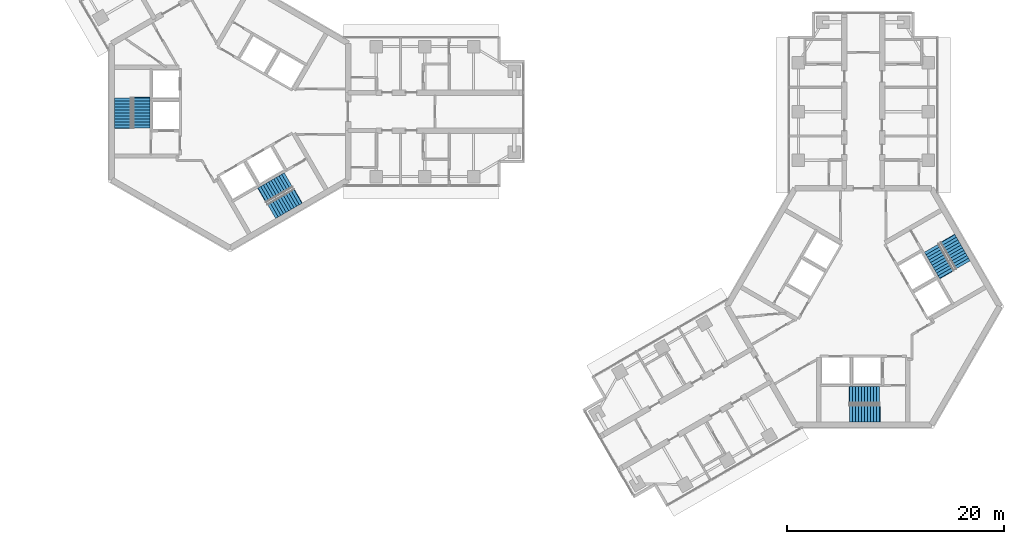
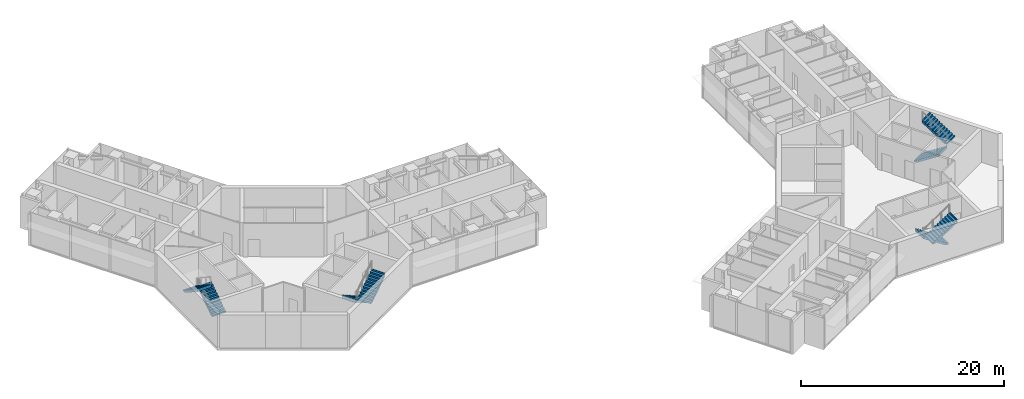
# One storey, part 16 of 17: 8 stair flights, 4 elements without a shape of their own.
"""IFC4 building model written with IfcOpenShell, lengths in metres."""

from ifc_helpers import new_model, si_unit, direction, frame, origin, place, context, subcontext, project, spatial, polyline, outline, extrude, material, type_object, element, aggregate, save


model = new_model("IFC4")

# Units and contexts
model_context = context("Model", 3, precision=1e-05, world=origin(), true_north=direction((0.0, 1.0)))
body_context = subcontext(model_context, "Body", "Model", "MODEL_VIEW")
ifc_project = project(units=[si_unit("LENGTHUNIT", "METRE"), si_unit("AREAUNIT", "SQUARE_METRE"), si_unit("VOLUMEUNIT", "CUBIC_METRE"), si_unit("PLANEANGLEUNIT", "RADIAN"), si_unit("MASSUNIT", "GRAM", prefix="KILO")], contexts=[model_context])

# Site, building, storey
site_placement = place(None, origin())
site = spatial("IfcSite", under=ifc_project, at=site_placement, CompositionType="ELEMENT")
building_placement = place(site_placement, origin())
building = spatial("IfcBuilding", under=site, at=building_placement, Name="Upepo Twin Towers", CompositionType="ELEMENT")
storey_placement = place(building_placement, frame((0.0, 0.0, 214.5)))
storey = spatial("IfcBuildingStorey", under=building, at=storey_placement, Name="L52", CompositionType="ELEMENT", Elevation=214.5)

# Stair, stair flights
ifc_material_1 = material(Name="Concrete C40/50", Category="concrete")
stair_type = type_object("IfcStairType", Name="Core stair, two flights", PredefinedType="HALF_TURN_STAIR", material=ifc_material_1)
stair_1_placement = place(storey_placement, origin())
stair_1 = element("IfcStair", 1, at=stair_1_placement, inside=storey, type_object=stair_type, Name="T1 stair S1 L52", PredefinedType="HALF_TURN_STAIR")
ifc_material_2 = material(Name="Concrete C40/50", Category="concrete")
stair_flight_type = type_object("IfcStairFlightType", Name="Stair flight 1550 RC", PredefinedType="STRAIGHT", material=ifc_material_2)
stair_flight_1_placement = place(storey_placement, frame((-8.175048828125, -1.52001953125, 0.0), z_axis=(0.0, 0.0, 1.0), x_axis=(0.0, 1.0, 0.0)))
stair_flight_1 = element("IfcStairFlight", 2, at=stair_flight_1_placement, type_object=stair_flight_type, Name="Stair S1 flight 1", NumberOfRisers=11, NumberOfTreads=10, PredefinedType="STRAIGHT", RiserHeight=0.181818182, TreadLength=0.28, context=body_context, shape_type="SweptSolid", body=[
    extrude(outline(polyline([(0.0, 0.0), (0.0, 0.181884765625), (0.280029296875, 0.181884765625), (0.280029296875, 0.363525390625), (0.56005859375, 0.363525390625), (0.56005859375, 0.54541015625), (0.840087890625, 0.54541015625), (0.840087890625, 0.727294921875), (1.1201171875, 0.727294921875), (1.1201171875, 0.9091796875), (1.39990234375, 0.9091796875), (1.39990234375, 1.0908203125), (1.679931640625, 1.0908203125), (1.679931640625, 1.272705078125), (1.9599609375, 1.272705078125), (1.9599609375, 1.45458984375), (2.239990234375, 1.45458984375), (2.239990234375, 1.636474609375), (2.52001953125, 1.636474609375), (2.52001953125, 1.818115234375), (2.800048828125, 1.818115234375), (2.800048828125, 2.0), (2.85009765625, 2.0), (2.85009765625, 1.639404296875), (0.3251953125, 0.0), (0.0, 0.0)])), frame((0.0, 0.77490234375, 0.0), z_axis=(0.0, -1.0, 0.0), x_axis=(1.0, 0.0, 0.0)), (0.0, 0.0, 1.0), 1.550048828125),
])
stair_flight_2_placement = place(storey_placement, frame((-9.88330078125, 1.280029296875, 2.0), z_axis=(0.0, 0.0, 1.0), x_axis=(0.0, -1.0, 0.0)))
stair_flight_2 = element("IfcStairFlight", 3, at=stair_flight_2_placement, type_object=stair_flight_type, Name="Stair S1 flight 2", NumberOfRisers=11, NumberOfTreads=10, PredefinedType="STRAIGHT", RiserHeight=0.181818182, TreadLength=0.28, context=body_context, shape_type="SweptSolid", body=[
    extrude(outline(polyline([(0.0, 0.0), (0.0, 0.181884765625), (0.280029296875, 0.181884765625), (0.280029296875, 0.363525390625), (0.56005859375, 0.363525390625), (0.56005859375, 0.54541015625), (0.840087890625, 0.54541015625), (0.840087890625, 0.727294921875), (1.1201171875, 0.727294921875), (1.1201171875, 0.9091796875), (1.39990234375, 0.9091796875), (1.39990234375, 1.0908203125), (1.679931640625, 1.0908203125), (1.679931640625, 1.272705078125), (1.9599609375, 1.272705078125), (1.9599609375, 1.45458984375), (2.239990234375, 1.45458984375), (2.239990234375, 1.636474609375), (2.52001953125, 1.636474609375), (2.52001953125, 1.818115234375), (2.800048828125, 1.818115234375), (2.800048828125, 2.0), (2.85009765625, 2.0), (2.85009765625, 1.639404296875), (0.3251953125, 0.0), (0.0, 0.0)])), frame((0.0, 0.77490234375, 0.0), z_axis=(0.0, -1.0, 0.0), x_axis=(1.0, 0.0, 0.0)), (0.0, 0.0, 1.0), 1.550048828125),
])
aggregate(stair_1, [stair_flight_1, stair_flight_2])

stair_2_placement = place(storey_placement, origin())
stair_2 = element("IfcStair", 4, at=stair_2_placement, inside=storey, type_object=stair_type, Name="T1 stair S2 L52", PredefinedType="HALF_TURN_STAIR")
stair_flight_3_placement = place(storey_placement, frame((5.40380859375, -6.31982421875, 0.0), z_axis=(0.0, 0.0, 1.0), x_axis=(-0.866025403784, -0.5, 0.0)))
stair_flight_3 = element("IfcStairFlight", 5, at=stair_flight_3_placement, type_object=stair_flight_type, Name="Stair S2 flight 1", NumberOfRisers=11, NumberOfTreads=10, PredefinedType="STRAIGHT", RiserHeight=0.181818182, TreadLength=0.28, context=body_context, shape_type="SweptSolid", body=[
    extrude(outline(polyline([(0.0, 0.0), (0.0, 0.181884765625), (0.280029296875, 0.181884765625), (0.280029296875, 0.363525390625), (0.56005859375, 0.363525390625), (0.56005859375, 0.54541015625), (0.840087890625, 0.54541015625), (0.840087890625, 0.727294921875), (1.1201171875, 0.727294921875), (1.1201171875, 0.9091796875), (1.39990234375, 0.9091796875), (1.39990234375, 1.0908203125), (1.679931640625, 1.0908203125), (1.679931640625, 1.272705078125), (1.9599609375, 1.272705078125), (1.9599609375, 1.45458984375), (2.239990234375, 1.45458984375), (2.239990234375, 1.636474609375), (2.52001953125, 1.636474609375), (2.52001953125, 1.818115234375), (2.800048828125, 1.818115234375), (2.800048828125, 2.0), (2.85009765625, 2.0), (2.85009765625, 1.639404296875), (0.3251953125, 0.0), (0.0, 0.0)])), frame((0.0, 0.77490234375, 0.0), z_axis=(0.0, -1.0, 0.0), x_axis=(1.0, 0.0, 0.0)), (0.0, 0.0, 1.0), 1.550048828125),
])
stair_flight_4_placement = place(storey_placement, frame((3.833251953125, -9.19921875, 2.0), z_axis=(0.0, 0.0, 1.0), x_axis=(0.866025403784, 0.5, 0.0)))
stair_flight_4 = element("IfcStairFlight", 6, at=stair_flight_4_placement, type_object=stair_flight_type, Name="Stair S2 flight 2", NumberOfRisers=11, NumberOfTreads=10, PredefinedType="STRAIGHT", RiserHeight=0.181818182, TreadLength=0.28, context=body_context, shape_type="SweptSolid", body=[
    extrude(outline(polyline([(0.0, 0.0), (0.0, 0.181884765625), (0.280029296875, 0.181884765625), (0.280029296875, 0.363525390625), (0.56005859375, 0.363525390625), (0.56005859375, 0.54541015625), (0.840087890625, 0.54541015625), (0.840087890625, 0.727294921875), (1.1201171875, 0.727294921875), (1.1201171875, 0.9091796875), (1.39990234375, 0.9091796875), (1.39990234375, 1.0908203125), (1.679931640625, 1.0908203125), (1.679931640625, 1.272705078125), (1.9599609375, 1.272705078125), (1.9599609375, 1.45458984375), (2.239990234375, 1.45458984375), (2.239990234375, 1.636474609375), (2.52001953125, 1.636474609375), (2.52001953125, 1.818115234375), (2.800048828125, 1.818115234375), (2.800048828125, 2.0), (2.85009765625, 2.0), (2.85009765625, 1.639404296875), (0.3251953125, 0.0), (0.0, 0.0)])), frame((0.0, 0.77490234375, 0.0), z_axis=(0.0, -1.0, 0.0), x_axis=(1.0, 0.0, 0.0)), (0.0, 0.0, 1.0), 1.550048828125),
])
aggregate(stair_2, [stair_flight_3, stair_flight_4])

stair_3_placement = place(storey_placement, origin())
stair_3 = element("IfcStair", 7, at=stair_3_placement, inside=storey, type_object=stair_type, Name="T2 stair S1 L52", PredefinedType="HALF_TURN_STAIR")
stair_flight_5_placement = place(storey_placement, frame((60.02001953125, -26.175048828125, 0.0), z_axis=(0.0, 0.0, 1.0), x_axis=(-1.0, 0.0, 0.0)))
stair_flight_5 = element("IfcStairFlight", 8, at=stair_flight_5_placement, type_object=stair_flight_type, Name="Stair S1 flight 1", NumberOfRisers=11, NumberOfTreads=10, PredefinedType="STRAIGHT", RiserHeight=0.181818182, TreadLength=0.28, context=body_context, shape_type="SweptSolid", body=[
    extrude(outline(polyline([(0.0, 0.0), (0.0, 0.181884765625), (0.280029296875, 0.181884765625), (0.280029296875, 0.363525390625), (0.56005859375, 0.363525390625), (0.56005859375, 0.54541015625), (0.840087890625, 0.54541015625), (0.840087890625, 0.727294921875), (1.1201171875, 0.727294921875), (1.1201171875, 0.9091796875), (1.39990234375, 0.9091796875), (1.39990234375, 1.0908203125), (1.679931640625, 1.0908203125), (1.679931640625, 1.272705078125), (1.9599609375, 1.272705078125), (1.9599609375, 1.45458984375), (2.239990234375, 1.45458984375), (2.239990234375, 1.636474609375), (2.52001953125, 1.636474609375), (2.52001953125, 1.818115234375), (2.800048828125, 1.818115234375), (2.800048828125, 2.0), (2.85009765625, 2.0), (2.85009765625, 1.639404296875), (0.3251953125, 0.0), (0.0, 0.0)])), frame((0.0, 0.77490234375, 0.0), z_axis=(0.0, -1.0, 0.0), x_axis=(1.0, 0.0, 0.0)), (0.0, 0.0, 1.0), 1.550048828125),
])
stair_flight_6_placement = place(storey_placement, frame((57.219970703125, -27.88330078125, 2.0), z_axis=(0.0, 0.0, 1.0), x_axis=(1.0, 0.0, 0.0)))
stair_flight_6 = element("IfcStairFlight", 9, at=stair_flight_6_placement, type_object=stair_flight_type, Name="Stair S1 flight 2", NumberOfRisers=11, NumberOfTreads=10, PredefinedType="STRAIGHT", RiserHeight=0.181818182, TreadLength=0.28, context=body_context, shape_type="SweptSolid", body=[
    extrude(outline(polyline([(0.0, 0.0), (0.0, 0.181884765625), (0.280029296875, 0.181884765625), (0.280029296875, 0.363525390625), (0.56005859375, 0.363525390625), (0.56005859375, 0.54541015625), (0.840087890625, 0.54541015625), (0.840087890625, 0.727294921875), (1.1201171875, 0.727294921875), (1.1201171875, 0.9091796875), (1.39990234375, 0.9091796875), (1.39990234375, 1.0908203125), (1.679931640625, 1.0908203125), (1.679931640625, 1.272705078125), (1.9599609375, 1.272705078125), (1.9599609375, 1.45458984375), (2.239990234375, 1.45458984375), (2.239990234375, 1.636474609375), (2.52001953125, 1.636474609375), (2.52001953125, 1.818115234375), (2.800048828125, 1.818115234375), (2.800048828125, 2.0), (2.85009765625, 2.0), (2.85009765625, 1.639404296875), (0.3251953125, 0.0), (0.0, 0.0)])), frame((0.0, 0.77490234375, 0.0), z_axis=(0.0, -1.0, 0.0), x_axis=(1.0, 0.0, 0.0)), (0.0, 0.0, 1.0), 1.550048828125),
])
aggregate(stair_3, [stair_flight_5, stair_flight_6])

stair_4_placement = place(storey_placement, origin())
stair_4 = element("IfcStair", 10, at=stair_4_placement, inside=storey, type_object=stair_type, Name="T2 stair S2 L52", PredefinedType="HALF_TURN_STAIR")
stair_flight_7_placement = place(storey_placement, frame((64.81982421875, -12.59619140625, 0.0), z_axis=(0.0, 0.0, 1.0), x_axis=(0.5, -0.866025403784, 0.0)))
stair_flight_7 = element("IfcStairFlight", 11, at=stair_flight_7_placement, type_object=stair_flight_type, Name="Stair S2 flight 1", NumberOfRisers=11, NumberOfTreads=10, PredefinedType="STRAIGHT", RiserHeight=0.181818182, TreadLength=0.28, context=body_context, shape_type="SweptSolid", body=[
    extrude(outline(polyline([(0.0, 0.0), (0.0, 0.181884765625), (0.280029296875, 0.181884765625), (0.280029296875, 0.363525390625), (0.56005859375, 0.363525390625), (0.56005859375, 0.54541015625), (0.840087890625, 0.54541015625), (0.840087890625, 0.727294921875), (1.1201171875, 0.727294921875), (1.1201171875, 0.9091796875), (1.39990234375, 0.9091796875), (1.39990234375, 1.0908203125), (1.679931640625, 1.0908203125), (1.679931640625, 1.272705078125), (1.9599609375, 1.272705078125), (1.9599609375, 1.45458984375), (2.239990234375, 1.45458984375), (2.239990234375, 1.636474609375), (2.52001953125, 1.636474609375), (2.52001953125, 1.818115234375), (2.800048828125, 1.818115234375), (2.800048828125, 2.0), (2.85009765625, 2.0), (2.85009765625, 1.639404296875), (0.3251953125, 0.0), (0.0, 0.0)])), frame((0.0, 0.77490234375, 0.0), z_axis=(0.0, -1.0, 0.0), x_axis=(1.0, 0.0, 0.0)), (0.0, 0.0, 1.0), 1.550048828125),
])
stair_flight_8_placement = place(storey_placement, frame((67.69921875, -14.166748046875, 2.0), z_axis=(0.0, 0.0, 1.0), x_axis=(-0.5, 0.866025403784, 0.0)))
stair_flight_8 = element("IfcStairFlight", 12, at=stair_flight_8_placement, type_object=stair_flight_type, Name="Stair S2 flight 2", NumberOfRisers=11, NumberOfTreads=10, PredefinedType="STRAIGHT", RiserHeight=0.181818182, TreadLength=0.28, context=body_context, shape_type="SweptSolid", body=[
    extrude(outline(polyline([(0.0, 0.0), (0.0, 0.181884765625), (0.280029296875, 0.181884765625), (0.280029296875, 0.363525390625), (0.56005859375, 0.363525390625), (0.56005859375, 0.54541015625), (0.840087890625, 0.54541015625), (0.840087890625, 0.727294921875), (1.1201171875, 0.727294921875), (1.1201171875, 0.9091796875), (1.39990234375, 0.9091796875), (1.39990234375, 1.0908203125), (1.679931640625, 1.0908203125), (1.679931640625, 1.272705078125), (1.9599609375, 1.272705078125), (1.9599609375, 1.45458984375), (2.239990234375, 1.45458984375), (2.239990234375, 1.636474609375), (2.52001953125, 1.636474609375), (2.52001953125, 1.818115234375), (2.800048828125, 1.818115234375), (2.800048828125, 2.0), (2.85009765625, 2.0), (2.85009765625, 1.639404296875), (0.3251953125, 0.0), (0.0, 0.0)])), frame((0.0, 0.77490234375, 0.0), z_axis=(0.0, -1.0, 0.0), x_axis=(1.0, 0.0, 0.0)), (0.0, 0.0, 1.0), 1.550048828125),
])
aggregate(stair_4, [stair_flight_7, stair_flight_8])

save(model, "model.ifc")
